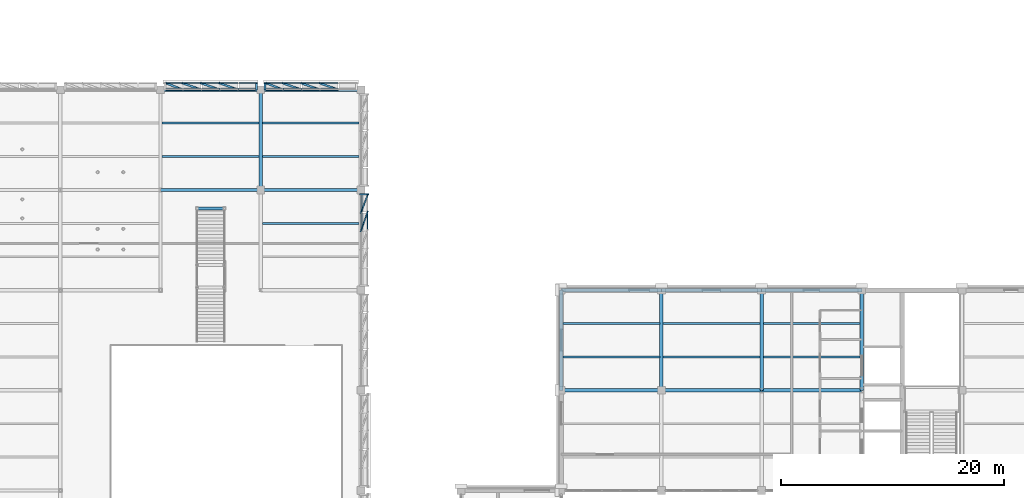
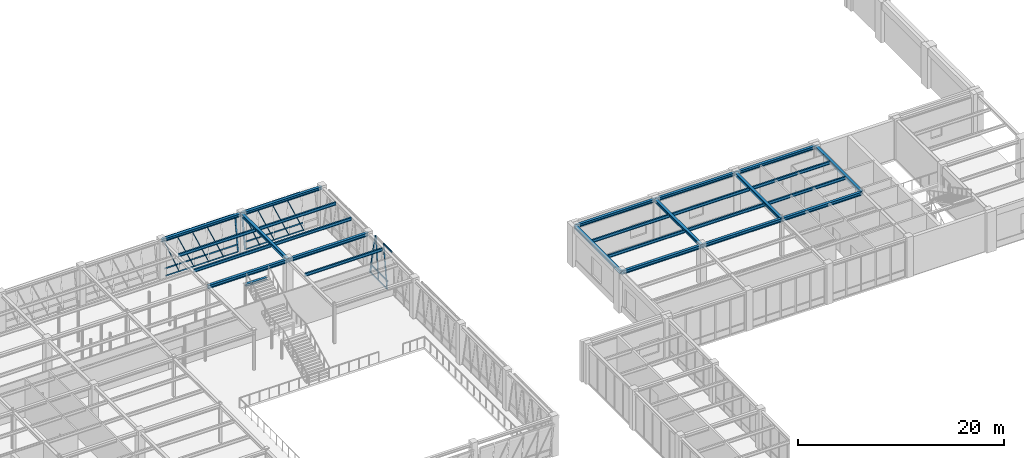
# One storey, part 65 of 92: 45 members, 27 beams, 3 elements without a shape of their own.
"""IFC4 building model written with IfcOpenShell, lengths in metres."""

from ifc_helpers import new_model, si_unit, direction, frame, origin, origin_2d, place, context, subcontext, project, spatial, hollow_rectangle, i_section, extrude, material, material_profile, profile_set, type_object, element, aggregate, save


model = new_model("IFC4")

# Units and contexts
model_context = context("Model", 3, precision=1e-05, world=origin(), true_north=direction((0.0, 1.0)))
body_context = subcontext(model_context, "Body", "Model", "MODEL_VIEW")
ifc_project = project(units=[si_unit("LENGTHUNIT", "METRE"), si_unit("AREAUNIT", "SQUARE_METRE"), si_unit("VOLUMEUNIT", "CUBIC_METRE"), si_unit("PLANEANGLEUNIT", "RADIAN"), si_unit("MASSUNIT", "GRAM", prefix="KILO")], contexts=[model_context])

# Site, building, storey
site_placement = place(None, origin())
site = spatial("IfcSite", under=ifc_project, at=site_placement, CompositionType="ELEMENT")
building_placement = place(site_placement, origin())
building = spatial("IfcBuilding", under=site, at=building_placement, Name="Lykobir Media Centre", CompositionType="ELEMENT")
storey_placement = place(building_placement, frame((0.0, 0.0, 5.39990234375)))
storey = spatial("IfcBuildingStorey", under=building, at=storey_placement, Name="L01", CompositionType="ELEMENT", Elevation=5.39990234375)

# Beams
ifc_material_1 = material(Name="Steel S355", Category="steel")
ifc_material_profile_1 = material_profile(ifc_material_1, i_section(OverallWidth=0.300048828125, OverallDepth=0.35009765625, WebThickness=0.010009765625, FlangeThickness=0.017578125, at=origin_2d()), Name="HEA 360")
ifc_profile_set_1 = profile_set([ifc_material_profile_1], Name="Steel S355")
beam_type_1 = type_object("IfcBeamType", Name="BM-HEA360", PredefinedType="BEAM", material=ifc_profile_set_1)
for number, where, z_axis, x_axis, name in (
    (1, (72.0, 99.0, 4.385009765625), (0.0, 1.0, 0.0), (-1.0, 0.0, 0.0), "Beam BM-L01-0720-0990-0720-1080-978"),
    (2, (99.0, 81.0, 4.385009765625), (0.0, 1.0, 0.0), (-1.0, 0.0, 0.0), "Beam BM-L01-0990-0810-0990-0900-978"),
    (3, (108.0, 81.0, 4.385009765625), (0.0, 1.0, 0.0), (-1.0, 0.0, 0.0), "Beam BM-L01-1080-0810-1080-0900-978"),
    (4, (117.0, 81.0, 4.385009765625), (0.0, 1.0, 0.0), (-1.0, 0.0, 0.0), "Beam BM-L01-1170-0810-1170-0900-978"),
    (5, (126.0, 81.0, 4.385009765625), (0.0, 1.0, 0.0), (-1.0, 0.0, 0.0), "Beam BM-L01-1260-0810-1260-0900-978"),
):
    element("IfcBeam", number, at=place(storey_placement, frame(where, z_axis=z_axis, x_axis=x_axis)), inside=storey, type_object=beam_type_1, Name=name, PredefinedType="BEAM", context=body_context, shape_type="SweptSolid", body=[
        extrude(i_section(OverallWidth=0.300048828125, OverallDepth=0.35009765625, WebThickness=0.010009765625, FlangeThickness=0.017578125, at=origin_2d()), origin(), (0.0, 0.0, 1.0), 9.0),
    ])
ifc_material_profile_2 = material_profile(ifc_material_1, i_section(OverallWidth=0.300048828125, OverallDepth=0.389892578125, WebThickness=0.010986328125, FlangeThickness=0.01904296875, at=origin_2d()), Name="HEA 400")
ifc_profile_set_2 = profile_set([ifc_material_profile_2], Name="Steel S355")
beam_type_2 = type_object("IfcBeamType", Name="BM-HEA400", PredefinedType="BEAM", material=ifc_profile_set_2)
for number, where, z_axis, x_axis, name in (
    (6, (99.0, 81.0, 4.364990234375), (1.0, 0.0, 0.0), (0.0, 1.0, 0.0), "Beam BM-L01-0990-0810-1080-0810-976"),
    (7, (108.0, 81.0, 4.364990234375), (1.0, 0.0, 0.0), (0.0, 1.0, 0.0), "Beam BM-L01-1080-0810-1170-0810-976"),
    (8, (117.0, 81.0, 4.364990234375), (1.0, 0.0, 0.0), (0.0, 1.0, 0.0), "Beam BM-L01-1170-0810-1260-0810-976"),
    (9, (63.0, 99.0, 4.364990234375), (1.0, 0.0, 0.0), (0.0, 1.0, 0.0), "Beam BM-L01-0630-0990-0720-0990-976"),
    (10, (72.0, 99.0, 4.364990234375), (1.0, 0.0, 0.0), (0.0, 1.0, 0.0), "Beam BM-L01-0720-0990-0810-0990-976"),
):
    element("IfcBeam", number, at=place(storey_placement, frame(where, z_axis=z_axis, x_axis=x_axis)), inside=storey, type_object=beam_type_2, Name=name, PredefinedType="BEAM", context=body_context, shape_type="SweptSolid", body=[
        extrude(i_section(OverallWidth=0.300048828125, OverallDepth=0.389892578125, WebThickness=0.010986328125, FlangeThickness=0.01904296875, at=origin_2d()), origin(), (0.0, 0.0, 1.0), 9.0),
    ])
ifc_material_profile_3 = material_profile(ifc_material_1, i_section(OverallWidth=0.280029296875, OverallDepth=0.27001953125, WebThickness=0.008056640625, FlangeThickness=0.012939453125, at=origin_2d()), Name="HEA 280")
ifc_profile_set_3 = profile_set([ifc_material_profile_3], Name="Steel S355")
beam_type_3 = type_object("IfcBeamType", Name="BM-ST280", PredefinedType="BEAM", material=ifc_profile_set_3)
beam_placement = place(storey_placement, frame((66.27490234375, 97.35009765625, 4.425048828125), z_axis=(1.0, 0.0, 0.0), x_axis=(0.0, 1.0, 0.0)))
element("IfcBeam", 11, at=beam_placement, inside=storey, type_object=beam_type_3, Name="Valley terrace edge trimmer 2", PredefinedType="BEAM", context=body_context, shape_type="SweptSolid", body=[
    extrude(i_section(OverallWidth=0.280029296875, OverallDepth=0.27001953125, WebThickness=0.008056640625, FlangeThickness=0.012939453125, at=origin_2d()), origin(), (0.0, 0.0, 1.0), 2.4501953125),
])

# Curtain wall, members
ifc_material_2 = material(Name="Anodized Aluminium AW-6060", Category="aluminium")
curtain_wall_type = type_object("IfcCurtainWallType", Name="CW-V6-CR1", PredefinedType="NOTDEFINED", material=ifc_material_2)
curtain_wall_1_placement = place(storey_placement, origin())
curtain_wall_1 = element("IfcCurtainWall", 12, at=curtain_wall_1_placement, inside=storey, type_object=curtain_wall_type, Name="Curtain wall CW2-L01-0061", PredefinedType="NOTDEFINED")
ifc_material_profile_4 = material_profile(ifc_material_2, hollow_rectangle(XDim=0.074951171875, YDim=0.179931640625, WallThickness=0.00390625, at=origin_2d()), Name="ALU MULLION 75x180")
ifc_profile_set_4 = profile_set([ifc_material_profile_4], Name="Anodized Aluminium AW-6060")
member_type_1 = type_object("IfcMemberType", Name="CWM-180", PredefinedType="MULLION", material=ifc_profile_set_4)
member_1_placement = place(storey_placement, frame((81.0, 95.3291015625, 0.0), z_axis=(0.132237817099, 0.374602604658, 0.917706951217), x_axis=(0.942970475976, -0.332876375608, 0.0)))
member_1 = element("IfcMember", 13, at=member_1_placement, type_object=member_type_1, Name="CW2-L01-0061 mullion 4", PredefinedType="MULLION", context=body_context, shape_type="SweptSolid", body=[
    extrude(hollow_rectangle(XDim=0.074951171875, YDim=0.179931640625, WallThickness=0.00390625, at=origin_2d()), origin(), (0.0, 0.0, 1.0), 4.5712890625),
])
member_2_placement = place(storey_placement, frame((81.0, 96.987060546875, 0.0), z_axis=(0.133993559544, 0.34256027137, 0.929891491777), x_axis=(0.931290526487, -0.364277305463, 0.0)))
member_2 = element("IfcMember", 14, at=member_2_placement, type_object=member_type_1, Name="CW2-L01-0061 mullion 5", PredefinedType="MULLION", context=body_context, shape_type="SweptSolid", body=[
    extrude(hollow_rectangle(XDim=0.074951171875, YDim=0.179931640625, WallThickness=0.00390625, at=origin_2d()), origin(), (0.0, 0.0, 1.0), 4.511474609375),
])
member_3_placement = place(storey_placement, frame((81.0, 98.607421875, 0.0), z_axis=(0.142622832142, 0.0, 0.989777110137), x_axis=(0.0, -1.0, 0.0)))
member_3 = element("IfcMember", 15, at=member_3_placement, type_object=member_type_1, Name="CW2-L01-0061 mullion 6", PredefinedType="MULLION", context=body_context, shape_type="SweptSolid", body=[
    extrude(hollow_rectangle(XDim=0.074951171875, YDim=0.179931640625, WallThickness=0.00390625, at=origin_2d()), origin(), (0.0, 0.0, 1.0), 4.23828125),
])

curtain_wall_2_placement = place(storey_placement, origin())
curtain_wall_2 = element("IfcCurtainWall", 16, at=curtain_wall_2_placement, inside=storey, type_object=curtain_wall_type, Name="Curtain wall CW2-L01-0066", PredefinedType="NOTDEFINED")
member_4_placement = place(storey_placement, frame((71.607421875, 108.0, 0.0), z_axis=(0.0, 0.142622832142, 0.989777110137), x_axis=(0.0, 0.989777110137, -0.142622832142)))
member_4 = element("IfcMember", 17, at=member_4_placement, type_object=member_type_1, Name="CW2-L01-0066 mullion 1", PredefinedType="MULLION", context=body_context, shape_type="SweptSolid", body=[
    extrude(hollow_rectangle(XDim=0.074951171875, YDim=0.179931640625, WallThickness=0.00390625, at=origin_2d()), origin(), (0.0, 0.0, 1.0), 4.23828125),
])
member_5_placement = place(storey_placement, frame((69.987060546875, 108.0, 0.0), z_axis=(-0.374602604658, 0.132237817099, 0.917706951217), x_axis=(-0.865370560596, 0.305482963792, -0.39725804169)))
member_5 = element("IfcMember", 18, at=member_5_placement, type_object=member_type_1, Name="CW2-L01-0066 mullion 2", PredefinedType="MULLION", context=body_context, shape_type="SweptSolid", body=[
    extrude(hollow_rectangle(XDim=0.074951171875, YDim=0.179931640625, WallThickness=0.00390625, at=origin_2d()), origin(), (0.0, 0.0, 1.0), 4.5712890625),
])
member_6_placement = place(storey_placement, frame((68.3291015625, 108.0, 0.0), z_axis=(-0.374602604658, 0.132237817099, 0.917706951217), x_axis=(-0.865370560596, 0.305482963792, -0.39725804169)))
member_6 = element("IfcMember", 19, at=member_6_placement, type_object=member_type_1, Name="CW2-L01-0066 mullion 3", PredefinedType="MULLION", context=body_context, shape_type="SweptSolid", body=[
    extrude(hollow_rectangle(XDim=0.074951171875, YDim=0.179931640625, WallThickness=0.00390625, at=origin_2d()), origin(), (0.0, 0.0, 1.0), 4.5712890625),
])
member_7_placement = place(storey_placement, frame((66.6708984375, 108.0, 0.0), z_axis=(-0.374602604658, 0.132237817099, 0.917706951217), x_axis=(-0.865370560596, 0.305482963792, -0.39725804169)))
member_7 = element("IfcMember", 20, at=member_7_placement, type_object=member_type_1, Name="CW2-L01-0066 mullion 4", PredefinedType="MULLION", context=body_context, shape_type="SweptSolid", body=[
    extrude(hollow_rectangle(XDim=0.074951171875, YDim=0.179931640625, WallThickness=0.00390625, at=origin_2d()), origin(), (0.0, 0.0, 1.0), 4.5712890625),
])
member_8_placement = place(storey_placement, frame((65.012939453125, 108.0, 0.0), z_axis=(-0.34256027137, 0.133993559544, 0.929891491777), x_axis=(-0.865999136953, 0.338738366998, -0.367833948298)))
member_8 = element("IfcMember", 21, at=member_8_placement, type_object=member_type_1, Name="CW2-L01-0066 mullion 5", PredefinedType="MULLION", context=body_context, shape_type="SweptSolid", body=[
    extrude(hollow_rectangle(XDim=0.074951171875, YDim=0.179931640625, WallThickness=0.00390625, at=origin_2d()), origin(), (0.0, 0.0, 1.0), 4.511474609375),
])

curtain_wall_3_placement = place(storey_placement, origin())
curtain_wall_3 = element("IfcCurtainWall", 22, at=curtain_wall_3_placement, inside=storey, type_object=curtain_wall_type, Name="Curtain wall CW2-L01-0067", PredefinedType="NOTDEFINED")
member_9_placement = place(storey_placement, frame((78.987060546875, 108.0, 0.0), z_axis=(-0.374602604658, 0.132237817099, 0.917706951217), x_axis=(-0.865370560596, 0.305482963792, -0.39725804169)))
member_9 = element("IfcMember", 23, at=member_9_placement, type_object=member_type_1, Name="CW2-L01-0067 mullion 2", PredefinedType="MULLION", context=body_context, shape_type="SweptSolid", body=[
    extrude(hollow_rectangle(XDim=0.074951171875, YDim=0.179931640625, WallThickness=0.00390625, at=origin_2d()), origin(), (0.0, 0.0, 1.0), 4.5712890625),
])
member_10_placement = place(storey_placement, frame((77.3291015625, 108.0, 0.0), z_axis=(-0.374602604658, 0.132237817099, 0.917706951217), x_axis=(-0.865370560596, 0.305482963792, -0.39725804169)))
member_10 = element("IfcMember", 24, at=member_10_placement, type_object=member_type_1, Name="CW2-L01-0067 mullion 3", PredefinedType="MULLION", context=body_context, shape_type="SweptSolid", body=[
    extrude(hollow_rectangle(XDim=0.074951171875, YDim=0.179931640625, WallThickness=0.00390625, at=origin_2d()), origin(), (0.0, 0.0, 1.0), 4.5712890625),
])
member_11_placement = place(storey_placement, frame((75.6708984375, 108.0, 0.0), z_axis=(-0.374602604658, 0.132237817099, 0.917706951217), x_axis=(-0.865370560596, 0.305482963792, -0.39725804169)))
member_11 = element("IfcMember", 25, at=member_11_placement, type_object=member_type_1, Name="CW2-L01-0067 mullion 4", PredefinedType="MULLION", context=body_context, shape_type="SweptSolid", body=[
    extrude(hollow_rectangle(XDim=0.074951171875, YDim=0.179931640625, WallThickness=0.00390625, at=origin_2d()), origin(), (0.0, 0.0, 1.0), 4.5712890625),
])
member_12_placement = place(storey_placement, frame((74.012939453125, 108.0, 0.0), z_axis=(-0.34256027137, 0.133993559544, 0.929891491777), x_axis=(-0.865999136953, 0.338738366998, -0.367833948298)))
member_12 = element("IfcMember", 26, at=member_12_placement, type_object=member_type_1, Name="CW2-L01-0067 mullion 5", PredefinedType="MULLION", context=body_context, shape_type="SweptSolid", body=[
    extrude(hollow_rectangle(XDim=0.074951171875, YDim=0.179931640625, WallThickness=0.00390625, at=origin_2d()), origin(), (0.0, 0.0, 1.0), 4.511474609375),
])
member_13_placement = place(storey_placement, frame((72.392578125, 108.0, 0.0), z_axis=(0.0, 0.142622832142, 0.989777110137), x_axis=(0.0, 0.989777110137, -0.142622832142)))
member_13 = element("IfcMember", 27, at=member_13_placement, type_object=member_type_1, Name="CW2-L01-0067 mullion 6", PredefinedType="MULLION", context=body_context, shape_type="SweptSolid", body=[
    extrude(hollow_rectangle(XDim=0.074951171875, YDim=0.179931640625, WallThickness=0.00390625, at=origin_2d()), origin(), (0.0, 0.0, 1.0), 4.23828125),
])

# Member
ifc_material_profile_5 = material_profile(ifc_material_2, hollow_rectangle(XDim=0.074951171875, YDim=0.14990234375, WallThickness=0.00341796875, at=origin_2d()), Name="ALU TRANSOM 75x150")
ifc_profile_set_5 = profile_set([ifc_material_profile_5], Name="Anodized Aluminium AW-6060")
member_type_2 = type_object("IfcMemberType", Name="CWT-150", PredefinedType="USERDEFINED", material=ifc_profile_set_5)
member_14_placement = place(storey_placement, frame((81.00537109375, 95.366455078125, 0.037109375), z_axis=(0.0, 1.0, 0.0), x_axis=(-0.989776230908, 0.0, 0.142628933706)))
member_14 = element("IfcMember", 28, at=member_14_placement, type_object=member_type_2, Name="CW2-L01-0061 transom 4.1", ObjectType="TRANSOM", PredefinedType="USERDEFINED", context=body_context, shape_type="SweptSolid", body=[
    extrude(hollow_rectangle(XDim=0.074951171875, YDim=0.14990234375, WallThickness=0.00341796875, at=origin_2d()), origin(), (0.0, 0.0, 1.0), 1.5830078125),
])

member_15_placement = place(storey_placement, frame((81.12109375, 95.366455078125, 0.84130859375), z_axis=(0.0, 1.0, 0.0), x_axis=(-0.989776230908, 0.0, 0.142628933706)))
member_15 = element("IfcMember", 29, at=member_15_placement, type_object=member_type_2, Name="CW2-L01-0061 transom 4.2", ObjectType="TRANSOM", PredefinedType="USERDEFINED", context=body_context, shape_type="SweptSolid", body=[
    extrude(hollow_rectangle(XDim=0.074951171875, YDim=0.14990234375, WallThickness=0.00341796875, at=origin_2d()), origin(), (0.0, 0.0, 1.0), 1.5830078125),
])

member_16_placement = place(storey_placement, frame((81.59912109375, 95.366455078125, 4.157958984375), z_axis=(0.0, 1.0, 0.0), x_axis=(-0.989776230908, 0.0, 0.142628933706)))
member_16 = element("IfcMember", 30, at=member_16_placement, type_object=member_type_2, Name="CW2-L01-0061 transom 4.3", ObjectType="TRANSOM", PredefinedType="USERDEFINED", context=body_context, shape_type="SweptSolid", body=[
    extrude(hollow_rectangle(XDim=0.074951171875, YDim=0.14990234375, WallThickness=0.00341796875, at=origin_2d()), origin(), (0.0, 0.0, 1.0), 1.5830078125),
])

member_17_placement = place(storey_placement, frame((81.00537109375, 97.0244140625, 0.037109375), z_axis=(0.0, 1.0, 0.0), x_axis=(-0.989776230908, 0.0, 0.142628933706)))
member_17 = element("IfcMember", 31, at=member_17_placement, type_object=member_type_2, Name="CW2-L01-0061 transom 5.1", ObjectType="TRANSOM", PredefinedType="USERDEFINED", context=body_context, shape_type="SweptSolid", body=[
    extrude(hollow_rectangle(XDim=0.074951171875, YDim=0.14990234375, WallThickness=0.00341796875, at=origin_2d()), origin(), (0.0, 0.0, 1.0), 1.545654296875),
])

member_18_placement = place(storey_placement, frame((81.12109375, 97.0244140625, 0.84130859375), z_axis=(0.0, 1.0, 0.0), x_axis=(-0.989776230908, 0.0, 0.142628933706)))
member_18 = element("IfcMember", 32, at=member_18_placement, type_object=member_type_2, Name="CW2-L01-0061 transom 5.2", ObjectType="TRANSOM", PredefinedType="USERDEFINED", context=body_context, shape_type="SweptSolid", body=[
    extrude(hollow_rectangle(XDim=0.074951171875, YDim=0.14990234375, WallThickness=0.00341796875, at=origin_2d()), origin(), (0.0, 0.0, 1.0), 1.545654296875),
])

aggregate(curtain_wall_1, [member_1, member_2, member_3, member_14, member_15, member_16, member_17, member_18])

member_19_placement = place(storey_placement, frame((71.570068359375, 108.00537109375, 0.037109375), z_axis=(-1.0, 0.0, 0.0), x_axis=(0.0, -0.989776230908, 0.142628933706)))
member_19 = element("IfcMember", 33, at=member_19_placement, type_object=member_type_2, Name="CW2-L01-0066 transom 1.1", ObjectType="TRANSOM", PredefinedType="USERDEFINED", context=body_context, shape_type="SweptSolid", body=[
    extrude(hollow_rectangle(XDim=0.074951171875, YDim=0.14990234375, WallThickness=0.00341796875, at=origin_2d()), origin(), (0.0, 0.0, 1.0), 1.545654296875),
])

member_20_placement = place(storey_placement, frame((71.570068359375, 108.12109375, 0.84130859375), z_axis=(-1.0, 0.0, 0.0), x_axis=(0.0, -0.989776230908, 0.142628933706)))
member_20 = element("IfcMember", 34, at=member_20_placement, type_object=member_type_2, Name="CW2-L01-0066 transom 1.2", ObjectType="TRANSOM", PredefinedType="USERDEFINED", context=body_context, shape_type="SweptSolid", body=[
    extrude(hollow_rectangle(XDim=0.074951171875, YDim=0.14990234375, WallThickness=0.00341796875, at=origin_2d()), origin(), (0.0, 0.0, 1.0), 1.545654296875),
])

member_21_placement = place(storey_placement, frame((71.570068359375, 108.59912109375, 4.157958984375), z_axis=(-1.0, 0.0, 0.0), x_axis=(0.0, -0.989776230908, 0.142628933706)))
member_21 = element("IfcMember", 35, at=member_21_placement, type_object=member_type_2, Name="CW2-L01-0066 transom 1.3", ObjectType="TRANSOM", PredefinedType="USERDEFINED", context=body_context, shape_type="SweptSolid", body=[
    extrude(hollow_rectangle(XDim=0.074951171875, YDim=0.14990234375, WallThickness=0.00341796875, at=origin_2d()), origin(), (0.0, 0.0, 1.0), 1.545654296875),
])

member_22_placement = place(storey_placement, frame((69.949462890625, 108.00537109375, 0.037109375), z_axis=(-1.0, 0.0, 0.0), x_axis=(0.0, -0.989776230908, 0.142628933706)))
member_22 = element("IfcMember", 36, at=member_22_placement, type_object=member_type_2, Name="CW2-L01-0066 transom 2.1", ObjectType="TRANSOM", PredefinedType="USERDEFINED", context=body_context, shape_type="SweptSolid", body=[
    extrude(hollow_rectangle(XDim=0.074951171875, YDim=0.14990234375, WallThickness=0.00341796875, at=origin_2d()), origin(), (0.0, 0.0, 1.0), 1.5830078125),
])

member_23_placement = place(storey_placement, frame((69.949462890625, 108.12109375, 0.84130859375), z_axis=(-1.0, 0.0, 0.0), x_axis=(0.0, -0.989776230908, 0.142628933706)))
member_23 = element("IfcMember", 37, at=member_23_placement, type_object=member_type_2, Name="CW2-L01-0066 transom 2.2", ObjectType="TRANSOM", PredefinedType="USERDEFINED", context=body_context, shape_type="SweptSolid", body=[
    extrude(hollow_rectangle(XDim=0.074951171875, YDim=0.14990234375, WallThickness=0.00341796875, at=origin_2d()), origin(), (0.0, 0.0, 1.0), 1.5830078125),
])

member_24_placement = place(storey_placement, frame((69.949462890625, 108.59912109375, 4.157958984375), z_axis=(-1.0, 0.0, 0.0), x_axis=(0.0, -0.989776230908, 0.142628933706)))
member_24 = element("IfcMember", 38, at=member_24_placement, type_object=member_type_2, Name="CW2-L01-0066 transom 2.3", ObjectType="TRANSOM", PredefinedType="USERDEFINED", context=body_context, shape_type="SweptSolid", body=[
    extrude(hollow_rectangle(XDim=0.074951171875, YDim=0.14990234375, WallThickness=0.00341796875, at=origin_2d()), origin(), (0.0, 0.0, 1.0), 1.5830078125),
])

member_25_placement = place(storey_placement, frame((68.29150390625, 108.00537109375, 0.037109375), z_axis=(-1.0, 0.0, 0.0), x_axis=(0.0, -0.989776230908, 0.142628933706)))
member_25 = element("IfcMember", 39, at=member_25_placement, type_object=member_type_2, Name="CW2-L01-0066 transom 3.1", ObjectType="TRANSOM", PredefinedType="USERDEFINED", context=body_context, shape_type="SweptSolid", body=[
    extrude(hollow_rectangle(XDim=0.074951171875, YDim=0.14990234375, WallThickness=0.00341796875, at=origin_2d()), origin(), (0.0, 0.0, 1.0), 1.5830078125),
])

member_26_placement = place(storey_placement, frame((68.29150390625, 108.12109375, 0.84130859375), z_axis=(-1.0, 0.0, 0.0), x_axis=(0.0, -0.989776230908, 0.142628933706)))
member_26 = element("IfcMember", 40, at=member_26_placement, type_object=member_type_2, Name="CW2-L01-0066 transom 3.2", ObjectType="TRANSOM", PredefinedType="USERDEFINED", context=body_context, shape_type="SweptSolid", body=[
    extrude(hollow_rectangle(XDim=0.074951171875, YDim=0.14990234375, WallThickness=0.00341796875, at=origin_2d()), origin(), (0.0, 0.0, 1.0), 1.5830078125),
])

member_27_placement = place(storey_placement, frame((68.29150390625, 108.59912109375, 4.157958984375), z_axis=(-1.0, 0.0, 0.0), x_axis=(0.0, -0.989776230908, 0.142628933706)))
member_27 = element("IfcMember", 41, at=member_27_placement, type_object=member_type_2, Name="CW2-L01-0066 transom 3.3", ObjectType="TRANSOM", PredefinedType="USERDEFINED", context=body_context, shape_type="SweptSolid", body=[
    extrude(hollow_rectangle(XDim=0.074951171875, YDim=0.14990234375, WallThickness=0.00341796875, at=origin_2d()), origin(), (0.0, 0.0, 1.0), 1.5830078125),
])

member_28_placement = place(storey_placement, frame((66.633544921875, 108.00537109375, 0.037109375), z_axis=(-1.0, 0.0, 0.0), x_axis=(0.0, -0.989776230908, 0.142628933706)))
member_28 = element("IfcMember", 42, at=member_28_placement, type_object=member_type_2, Name="CW2-L01-0066 transom 4.1", ObjectType="TRANSOM", PredefinedType="USERDEFINED", context=body_context, shape_type="SweptSolid", body=[
    extrude(hollow_rectangle(XDim=0.074951171875, YDim=0.14990234375, WallThickness=0.00341796875, at=origin_2d()), origin(), (0.0, 0.0, 1.0), 1.5830078125),
])

member_29_placement = place(storey_placement, frame((66.633544921875, 108.12109375, 0.84130859375), z_axis=(-1.0, 0.0, 0.0), x_axis=(0.0, -0.989776230908, 0.142628933706)))
member_29 = element("IfcMember", 43, at=member_29_placement, type_object=member_type_2, Name="CW2-L01-0066 transom 4.2", ObjectType="TRANSOM", PredefinedType="USERDEFINED", context=body_context, shape_type="SweptSolid", body=[
    extrude(hollow_rectangle(XDim=0.074951171875, YDim=0.14990234375, WallThickness=0.00341796875, at=origin_2d()), origin(), (0.0, 0.0, 1.0), 1.5830078125),
])

member_30_placement = place(storey_placement, frame((66.633544921875, 108.59912109375, 4.157958984375), z_axis=(-1.0, 0.0, 0.0), x_axis=(0.0, -0.989776230908, 0.142628933706)))
member_30 = element("IfcMember", 44, at=member_30_placement, type_object=member_type_2, Name="CW2-L01-0066 transom 4.3", ObjectType="TRANSOM", PredefinedType="USERDEFINED", context=body_context, shape_type="SweptSolid", body=[
    extrude(hollow_rectangle(XDim=0.074951171875, YDim=0.14990234375, WallThickness=0.00341796875, at=origin_2d()), origin(), (0.0, 0.0, 1.0), 1.5830078125),
])

member_31_placement = place(storey_placement, frame((64.9755859375, 108.00537109375, 0.037109375), z_axis=(-1.0, 0.0, 0.0), x_axis=(0.0, -0.989776230908, 0.142628933706)))
member_31 = element("IfcMember", 45, at=member_31_placement, type_object=member_type_2, Name="CW2-L01-0066 transom 5.1", ObjectType="TRANSOM", PredefinedType="USERDEFINED", context=body_context, shape_type="SweptSolid", body=[
    extrude(hollow_rectangle(XDim=0.074951171875, YDim=0.14990234375, WallThickness=0.00341796875, at=origin_2d()), origin(), (0.0, 0.0, 1.0), 1.545654296875),
])

member_32_placement = place(storey_placement, frame((64.9755859375, 108.12109375, 0.84130859375), z_axis=(-1.0, 0.0, 0.0), x_axis=(0.0, -0.989776230908, 0.142628933706)))
member_32 = element("IfcMember", 46, at=member_32_placement, type_object=member_type_2, Name="CW2-L01-0066 transom 5.2", ObjectType="TRANSOM", PredefinedType="USERDEFINED", context=body_context, shape_type="SweptSolid", body=[
    extrude(hollow_rectangle(XDim=0.074951171875, YDim=0.14990234375, WallThickness=0.00341796875, at=origin_2d()), origin(), (0.0, 0.0, 1.0), 1.545654296875),
])

member_33_placement = place(storey_placement, frame((64.9755859375, 108.59912109375, 4.157958984375), z_axis=(-1.0, 0.0, 0.0), x_axis=(0.0, -0.989776230908, 0.142628933706)))
member_33 = element("IfcMember", 47, at=member_33_placement, type_object=member_type_2, Name="CW2-L01-0066 transom 5.3", ObjectType="TRANSOM", PredefinedType="USERDEFINED", context=body_context, shape_type="SweptSolid", body=[
    extrude(hollow_rectangle(XDim=0.074951171875, YDim=0.14990234375, WallThickness=0.00341796875, at=origin_2d()), origin(), (0.0, 0.0, 1.0), 1.545654296875),
])

aggregate(curtain_wall_2, [member_4, member_5, member_6, member_7, member_8, member_19, member_20, member_21, member_22, member_23, member_24, member_25, member_26, member_27, member_28, member_29, member_30, member_31, member_32, member_33])

member_34_placement = place(storey_placement, frame((78.949462890625, 108.00537109375, 0.037109375), z_axis=(-1.0, 0.0, 0.0), x_axis=(0.0, -0.989776230908, 0.142628933706)))
member_34 = element("IfcMember", 48, at=member_34_placement, type_object=member_type_2, Name="CW2-L01-0067 transom 2.1", ObjectType="TRANSOM", PredefinedType="USERDEFINED", context=body_context, shape_type="SweptSolid", body=[
    extrude(hollow_rectangle(XDim=0.074951171875, YDim=0.14990234375, WallThickness=0.00341796875, at=origin_2d()), origin(), (0.0, 0.0, 1.0), 1.5830078125),
])

member_35_placement = place(storey_placement, frame((78.949462890625, 108.12109375, 0.84130859375), z_axis=(-1.0, 0.0, 0.0), x_axis=(0.0, -0.989776230908, 0.142628933706)))
member_35 = element("IfcMember", 49, at=member_35_placement, type_object=member_type_2, Name="CW2-L01-0067 transom 2.2", ObjectType="TRANSOM", PredefinedType="USERDEFINED", context=body_context, shape_type="SweptSolid", body=[
    extrude(hollow_rectangle(XDim=0.074951171875, YDim=0.14990234375, WallThickness=0.00341796875, at=origin_2d()), origin(), (0.0, 0.0, 1.0), 1.5830078125),
])

member_36_placement = place(storey_placement, frame((78.949462890625, 108.59912109375, 4.157958984375), z_axis=(-1.0, 0.0, 0.0), x_axis=(0.0, -0.989776230908, 0.142628933706)))
member_36 = element("IfcMember", 50, at=member_36_placement, type_object=member_type_2, Name="CW2-L01-0067 transom 2.3", ObjectType="TRANSOM", PredefinedType="USERDEFINED", context=body_context, shape_type="SweptSolid", body=[
    extrude(hollow_rectangle(XDim=0.074951171875, YDim=0.14990234375, WallThickness=0.00341796875, at=origin_2d()), origin(), (0.0, 0.0, 1.0), 1.5830078125),
])

member_37_placement = place(storey_placement, frame((77.29150390625, 108.00537109375, 0.037109375), z_axis=(-1.0, 0.0, 0.0), x_axis=(0.0, -0.989776230908, 0.142628933706)))
member_37 = element("IfcMember", 51, at=member_37_placement, type_object=member_type_2, Name="CW2-L01-0067 transom 3.1", ObjectType="TRANSOM", PredefinedType="USERDEFINED", context=body_context, shape_type="SweptSolid", body=[
    extrude(hollow_rectangle(XDim=0.074951171875, YDim=0.14990234375, WallThickness=0.00341796875, at=origin_2d()), origin(), (0.0, 0.0, 1.0), 1.5830078125),
])

member_38_placement = place(storey_placement, frame((77.29150390625, 108.12109375, 0.84130859375), z_axis=(-1.0, 0.0, 0.0), x_axis=(0.0, -0.989776230908, 0.142628933706)))
member_38 = element("IfcMember", 52, at=member_38_placement, type_object=member_type_2, Name="CW2-L01-0067 transom 3.2", ObjectType="TRANSOM", PredefinedType="USERDEFINED", context=body_context, shape_type="SweptSolid", body=[
    extrude(hollow_rectangle(XDim=0.074951171875, YDim=0.14990234375, WallThickness=0.00341796875, at=origin_2d()), origin(), (0.0, 0.0, 1.0), 1.5830078125),
])

member_39_placement = place(storey_placement, frame((77.29150390625, 108.59912109375, 4.157958984375), z_axis=(-1.0, 0.0, 0.0), x_axis=(0.0, -0.989776230908, 0.142628933706)))
member_39 = element("IfcMember", 53, at=member_39_placement, type_object=member_type_2, Name="CW2-L01-0067 transom 3.3", ObjectType="TRANSOM", PredefinedType="USERDEFINED", context=body_context, shape_type="SweptSolid", body=[
    extrude(hollow_rectangle(XDim=0.074951171875, YDim=0.14990234375, WallThickness=0.00341796875, at=origin_2d()), origin(), (0.0, 0.0, 1.0), 1.5830078125),
])

member_40_placement = place(storey_placement, frame((75.633544921875, 108.00537109375, 0.037109375), z_axis=(-1.0, 0.0, 0.0), x_axis=(0.0, -0.989776230908, 0.142628933706)))
member_40 = element("IfcMember", 54, at=member_40_placement, type_object=member_type_2, Name="CW2-L01-0067 transom 4.1", ObjectType="TRANSOM", PredefinedType="USERDEFINED", context=body_context, shape_type="SweptSolid", body=[
    extrude(hollow_rectangle(XDim=0.074951171875, YDim=0.14990234375, WallThickness=0.00341796875, at=origin_2d()), origin(), (0.0, 0.0, 1.0), 1.5830078125),
])

member_41_placement = place(storey_placement, frame((75.633544921875, 108.12109375, 0.84130859375), z_axis=(-1.0, 0.0, 0.0), x_axis=(0.0, -0.989776230908, 0.142628933706)))
member_41 = element("IfcMember", 55, at=member_41_placement, type_object=member_type_2, Name="CW2-L01-0067 transom 4.2", ObjectType="TRANSOM", PredefinedType="USERDEFINED", context=body_context, shape_type="SweptSolid", body=[
    extrude(hollow_rectangle(XDim=0.074951171875, YDim=0.14990234375, WallThickness=0.00341796875, at=origin_2d()), origin(), (0.0, 0.0, 1.0), 1.5830078125),
])

member_42_placement = place(storey_placement, frame((75.633544921875, 108.59912109375, 4.157958984375), z_axis=(-1.0, 0.0, 0.0), x_axis=(0.0, -0.989776230908, 0.142628933706)))
member_42 = element("IfcMember", 56, at=member_42_placement, type_object=member_type_2, Name="CW2-L01-0067 transom 4.3", ObjectType="TRANSOM", PredefinedType="USERDEFINED", context=body_context, shape_type="SweptSolid", body=[
    extrude(hollow_rectangle(XDim=0.074951171875, YDim=0.14990234375, WallThickness=0.00341796875, at=origin_2d()), origin(), (0.0, 0.0, 1.0), 1.5830078125),
])

member_43_placement = place(storey_placement, frame((73.9755859375, 108.00537109375, 0.037109375), z_axis=(-1.0, 0.0, 0.0), x_axis=(0.0, -0.989776230908, 0.142628933706)))
member_43 = element("IfcMember", 57, at=member_43_placement, type_object=member_type_2, Name="CW2-L01-0067 transom 5.1", ObjectType="TRANSOM", PredefinedType="USERDEFINED", context=body_context, shape_type="SweptSolid", body=[
    extrude(hollow_rectangle(XDim=0.074951171875, YDim=0.14990234375, WallThickness=0.00341796875, at=origin_2d()), origin(), (0.0, 0.0, 1.0), 1.545654296875),
])

member_44_placement = place(storey_placement, frame((73.9755859375, 108.12109375, 0.84130859375), z_axis=(-1.0, 0.0, 0.0), x_axis=(0.0, -0.989776230908, 0.142628933706)))
member_44 = element("IfcMember", 58, at=member_44_placement, type_object=member_type_2, Name="CW2-L01-0067 transom 5.2", ObjectType="TRANSOM", PredefinedType="USERDEFINED", context=body_context, shape_type="SweptSolid", body=[
    extrude(hollow_rectangle(XDim=0.074951171875, YDim=0.14990234375, WallThickness=0.00341796875, at=origin_2d()), origin(), (0.0, 0.0, 1.0), 1.545654296875),
])

member_45_placement = place(storey_placement, frame((73.9755859375, 108.59912109375, 4.157958984375), z_axis=(-1.0, 0.0, 0.0), x_axis=(0.0, -0.989776230908, 0.142628933706)))
member_45 = element("IfcMember", 59, at=member_45_placement, type_object=member_type_2, Name="CW2-L01-0067 transom 5.3", ObjectType="TRANSOM", PredefinedType="USERDEFINED", context=body_context, shape_type="SweptSolid", body=[
    extrude(hollow_rectangle(XDim=0.074951171875, YDim=0.14990234375, WallThickness=0.00341796875, at=origin_2d()), origin(), (0.0, 0.0, 1.0), 1.545654296875),
])

aggregate(curtain_wall_3, [member_9, member_10, member_11, member_12, member_13, member_34, member_35, member_36, member_37, member_38, member_39, member_40, member_41, member_42, member_43, member_44, member_45])

# Beams
ifc_material_profile_6 = material_profile(ifc_material_1, i_section(OverallWidth=0.169921875, OverallDepth=0.360107421875, WebThickness=0.008056640625, FlangeThickness=0.0126953125, at=origin_2d()), Name="IPE 360")
ifc_profile_set_6 = profile_set([ifc_material_profile_6], Name="Steel S355")
beam_type_4 = type_object("IfcBeamType", Name="JS-IPE360", PredefinedType="JOIST", material=ifc_profile_set_6)
for number, where, z_axis, x_axis, name in (
    (60, (63.14990234375, 102.0, 4.380126953125), (1.0, 0.0, 0.0), (0.0, 1.0, 0.0), "Beam BM-L01-0632-1020-0718-1020-978"),
    (61, (63.14990234375, 105.0, 4.380126953125), (1.0, 0.0, 0.0), (0.0, 1.0, 0.0), "Beam BM-L01-0632-1050-0718-1050-978"),
    (62, (72.14990234375, 96.0, 4.380126953125), (1.0, 0.0, 0.0), (0.0, 1.0, 0.0), "Beam BM-L01-0722-0960-0808-0960-978"),
    (63, (72.14990234375, 102.0, 4.380126953125), (1.0, 0.0, 0.0), (0.0, 1.0, 0.0), "Beam BM-L01-0722-1020-0808-1020-978"),
    (64, (72.14990234375, 105.0, 4.380126953125), (1.0, 0.0, 0.0), (0.0, 1.0, 0.0), "Beam BM-L01-0722-1050-0808-1050-978"),
    (65, (99.14990234375, 84.0, 4.380126953125), (1.0, 0.0, 0.0), (0.0, 1.0, 0.0), "Beam BM-L01-0992-0840-1078-0840-978"),
    (66, (99.14990234375, 87.0, 4.380126953125), (1.0, 0.0, 0.0), (0.0, 1.0, 0.0), "Beam BM-L01-0992-0870-1078-0870-978"),
    (67, (108.14990234375, 84.0, 4.380126953125), (1.0, 0.0, 0.0), (0.0, 1.0, 0.0), "Beam BM-L01-1082-0840-1168-0840-978"),
    (68, (108.14990234375, 87.0, 4.380126953125), (1.0, 0.0, 0.0), (0.0, 1.0, 0.0), "Beam BM-L01-1082-0870-1168-0870-978"),
    (69, (117.14990234375, 84.0, 4.380126953125), (1.0, 0.0, 0.0), (0.0, 1.0, 0.0), "Beam BM-L01-1172-0840-1258-0840-978"),
    (70, (117.14990234375, 87.0, 4.380126953125), (1.0, 0.0, 0.0), (0.0, 1.0, 0.0), "Beam BM-L01-1172-0870-1258-0870-978"),
):
    element("IfcBeam", number, at=place(storey_placement, frame(where, z_axis=z_axis, x_axis=x_axis)), inside=storey, type_object=beam_type_4, Name=name, PredefinedType="JOIST", context=body_context, shape_type="SweptSolid", body=[
        extrude(i_section(OverallWidth=0.169921875, OverallDepth=0.360107421875, WebThickness=0.008056640625, FlangeThickness=0.0126953125, at=origin_2d()), origin(), (0.0, 0.0, 1.0), 8.7001953125),
    ])
ifc_material_profile_7 = material_profile(ifc_material_1, i_section(OverallWidth=0.300048828125, OverallDepth=0.35009765625, WebThickness=0.010009765625, FlangeThickness=0.017578125, at=origin_2d()), Name="HEA 360")
ifc_profile_set_7 = profile_set([ifc_material_profile_7], Name="Steel S355")
beam_type_5 = type_object("IfcBeamType", Name="SP-HEA360", PredefinedType="SPANDREL", material=ifc_profile_set_7)
for number, where, z_axis, x_axis, name in (
    (71, (99.0, 90.0, 4.385009765625), (1.0, 0.0, 0.0), (0.0, 1.0, 0.0), "Beam BM-L01-0990-0900-1080-0900-978"),
    (72, (108.0, 90.0, 4.385009765625), (1.0, 0.0, 0.0), (0.0, 1.0, 0.0), "Beam BM-L01-1080-0900-1170-0900-978"),
    (73, (117.0, 90.0, 4.385009765625), (1.0, 0.0, 0.0), (0.0, 1.0, 0.0), "Beam BM-L01-1170-0900-1260-0900-978"),
    (74, (63.0, 108.0, 4.385009765625), (1.0, 0.0, 0.0), (0.0, 1.0, 0.0), "Beam BM-L01-0630-1080-0720-1080-978"),
    (75, (72.0, 108.0, 4.385009765625), (1.0, 0.0, 0.0), (0.0, 1.0, 0.0), "Beam BM-L01-0720-1080-0810-1080-978"),
):
    element("IfcBeam", number, at=place(storey_placement, frame(where, z_axis=z_axis, x_axis=x_axis)), inside=storey, type_object=beam_type_5, Name=name, PredefinedType="SPANDREL", context=body_context, shape_type="SweptSolid", body=[
        extrude(i_section(OverallWidth=0.300048828125, OverallDepth=0.35009765625, WebThickness=0.010009765625, FlangeThickness=0.017578125, at=origin_2d()), origin(), (0.0, 0.0, 1.0), 9.0),
    ])

save(model, "model.ifc")
